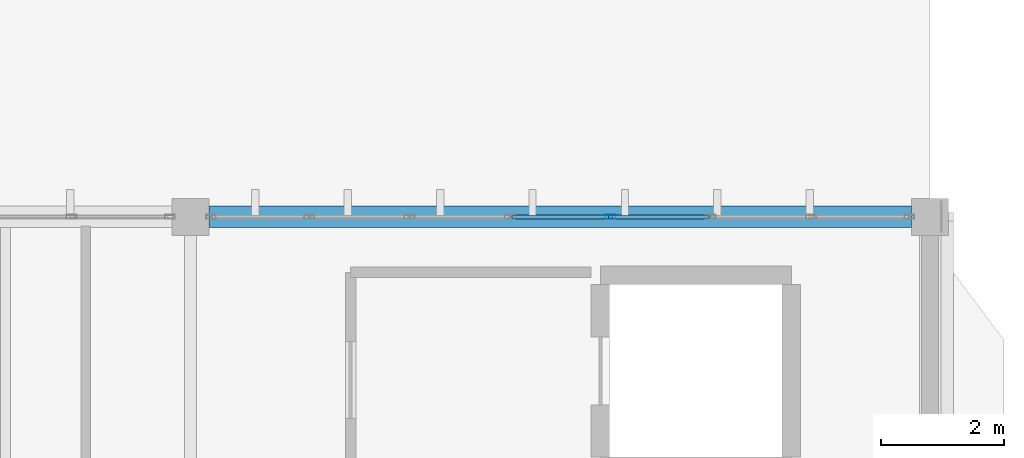
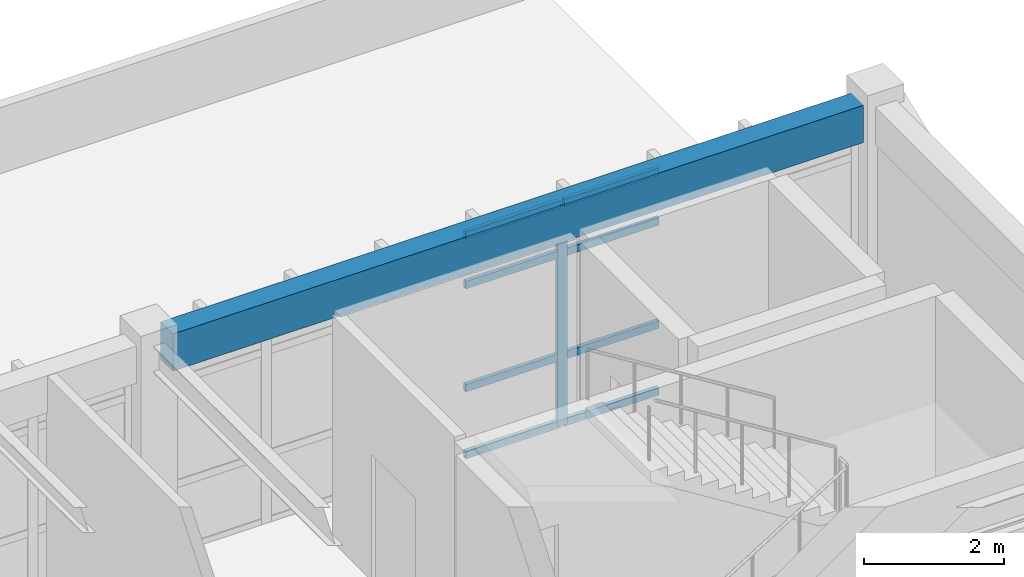
# One storey, part 23 of 37: 9 members, 1 beam, 1 element without a shape of its own.
"""IFC4 building model written with IfcOpenShell, lengths in metres."""

from ifc_helpers import new_model, si_unit, direction, frame, origin, origin_2d, place, context, subcontext, project, spatial, rectangle, hollow_rectangle, extrude, material, layer, layer_set, material_profile, profile_set, type_object, element, aggregate, save


model = new_model("IFC4")

# Units and contexts
model_context = context("Model", 3, precision=1e-05, world=origin(), true_north=direction((0.0, 1.0)))
body_context = subcontext(model_context, "Body", "Model", "MODEL_VIEW")
ifc_project = project(units=[si_unit("LENGTHUNIT", "METRE"), si_unit("AREAUNIT", "SQUARE_METRE"), si_unit("VOLUMEUNIT", "CUBIC_METRE"), si_unit("PLANEANGLEUNIT", "RADIAN"), si_unit("MASSUNIT", "GRAM", prefix="KILO")], contexts=[model_context])

# Site, building, storey
site_placement = place(None, origin())
site = spatial("IfcSite", under=ifc_project, at=site_placement, CompositionType="ELEMENT")
building_placement = place(site_placement, origin())
building = spatial("IfcBuilding", under=site, at=building_placement, Name="Pandanus Reach Market Hall", CompositionType="ELEMENT")
storey_placement = place(building_placement, frame((0.0, 0.0, 14.39990234375)))
storey = spatial("IfcBuildingStorey", under=building, at=storey_placement, Name="L03", CompositionType="ELEMENT", Elevation=14.39990234375)

# Beam
ifc_material_1 = material(Name="Concrete N40 (40 MPa)", Category="concrete")
ifc_material_profile_1 = material_profile(ifc_material_1, rectangle(XDim=0.35009765625, YDim=0.64990234375, at=origin_2d()), Name="RC350x650", Category="LoadBearing")
ifc_profile_set_1 = profile_set([ifc_material_profile_1], Name="Concrete N40 (40 MPa)")
beam_type = type_object("IfcBeamType", Name="BM-RC350-E", PredefinedType="SPANDREL", material=ifc_profile_set_1)
beam_placement = place(storey_placement, frame((168.298095703125, 76.800048828125, 3.635009765625), z_axis=(1.0, 0.0, 0.0), x_axis=(0.0, 1.0, 0.0)))
element("IfcBeam", 1, at=beam_placement, inside=storey, type_object=beam_type, Name="Framing beam BM-RC350-E L03.553", PredefinedType="SPANDREL", context=body_context, shape_type="SweptSolid", body=[
    extrude(rectangle(XDim=0.35009765625, YDim=0.64990234375, at=origin_2d()), origin(), (0.0, 0.0, 1.0), 11.40380859375),
])

# Curtain wall, members
ifc_material_2 = material(Name="Bronze anodised aluminium and low-E glass", Category="aluminium")
ifc_layer = layer(ifc_material_2, 0.159912109375, Name="CW-31")
ifc_layer_set = layer_set([ifc_layer], Name="Bronze anodised aluminium and low-E glass")
curtain_wall_type = type_object("IfcCurtainWallType", Name="CW-31", PredefinedType="NOTDEFINED", material=ifc_layer_set)
curtain_wall_placement = place(storey_placement, origin())
curtain_wall = element("IfcCurtainWall", 2, at=curtain_wall_placement, inside=storey, type_object=curtain_wall_type, Name="Glazed curtain wall CW-31 CW-0120", PredefinedType="NOTDEFINED")
ifc_material_3 = material(Name="Bronze anodised aluminium", Category="aluminium")
ifc_material_profile_2 = material_profile(ifc_material_3, hollow_rectangle(XDim=0.06494140625, YDim=0.159912109375, WallThickness=0.00390625, at=origin_2d()), Name="ALU65x160", Category="LoadBearing")
ifc_profile_set_2 = profile_set([ifc_material_profile_2], Name="Bronze anodised aluminium")
member_type_1 = type_object("IfcMemberType", Name="CW-M1", PredefinedType="MULLION", material=ifc_profile_set_2)
member_1_placement = place(storey_placement, frame((174.814208984375, 76.800048828125, 0.0), z_axis=(0.0, 0.0, 1.0), x_axis=(0.0, 1.0, 0.0)))
member_1 = element("IfcMember", 3, at=member_1_placement, type_object=member_type_1, Name="CW-31 mullion 5", PredefinedType="MULLION", context=body_context, shape_type="SweptSolid", body=[
    extrude(hollow_rectangle(XDim=0.06494140625, YDim=0.159912109375, WallThickness=0.00390625, at=origin_2d()), origin(), (0.0, 0.0, 1.0), 3.900146484375),
])
ifc_material_profile_3 = material_profile(ifc_material_3, hollow_rectangle(XDim=0.06494140625, YDim=0.1298828125, WallThickness=0.00390625, at=origin_2d()), Name="ALU65x130", Category="LoadBearing")
ifc_profile_set_3 = profile_set([ifc_material_profile_3], Name="Bronze anodised aluminium")
member_type_2 = type_object("IfcMemberType", Name="CW-T1", PredefinedType="USERDEFINED", material=ifc_profile_set_3)
member_2_placement = place(storey_placement, frame((173.21826171875, 76.800048828125, 0.03271484375), z_axis=(1.0, 0.0, 0.0), x_axis=(0.0, 1.0, 0.0)))
member_2 = element("IfcMember", 4, at=member_2_placement, type_object=member_type_2, Name="CW-31 transom 4.1", ObjectType="TRANSOM", PredefinedType="USERDEFINED", context=body_context, shape_type="SweptSolid", body=[
    extrude(hollow_rectangle(XDim=0.06494140625, YDim=0.1298828125, WallThickness=0.00390625, at=origin_2d()), origin(), (0.0, 0.0, 1.0), 1.5634765625),
])
member_3_placement = place(storey_placement, frame((173.21826171875, 76.800048828125, 1.2001953125), z_axis=(1.0, 0.0, 0.0), x_axis=(0.0, 1.0, 0.0)))
member_3 = element("IfcMember", 5, at=member_3_placement, type_object=member_type_2, Name="CW-31 transom 4.2", ObjectType="TRANSOM", PredefinedType="USERDEFINED", context=body_context, shape_type="SweptSolid", body=[
    extrude(hollow_rectangle(XDim=0.06494140625, YDim=0.1298828125, WallThickness=0.00390625, at=origin_2d()), origin(), (0.0, 0.0, 1.0), 1.5634765625),
])
member_4_placement = place(storey_placement, frame((173.21826171875, 76.800048828125, 3.0), z_axis=(1.0, 0.0, 0.0), x_axis=(0.0, 1.0, 0.0)))
member_4 = element("IfcMember", 6, at=member_4_placement, type_object=member_type_2, Name="CW-31 transom 4.3", ObjectType="TRANSOM", PredefinedType="USERDEFINED", context=body_context, shape_type="SweptSolid", body=[
    extrude(hollow_rectangle(XDim=0.06494140625, YDim=0.1298828125, WallThickness=0.00390625, at=origin_2d()), origin(), (0.0, 0.0, 1.0), 1.5634765625),
])
member_5_placement = place(storey_placement, frame((173.21826171875, 76.800048828125, 3.86767578125), z_axis=(1.0, 0.0, 0.0), x_axis=(0.0, 1.0, 0.0)))
member_5 = element("IfcMember", 7, at=member_5_placement, type_object=member_type_2, Name="CW-31 transom 4.4", ObjectType="TRANSOM", PredefinedType="USERDEFINED", context=body_context, shape_type="SweptSolid", body=[
    extrude(hollow_rectangle(XDim=0.06494140625, YDim=0.1298828125, WallThickness=0.00390625, at=origin_2d()), origin(), (0.0, 0.0, 1.0), 1.5634765625),
])
member_6_placement = place(storey_placement, frame((174.8466796875, 76.800048828125, 0.03271484375), z_axis=(1.0, 0.0, 0.0), x_axis=(0.0, 1.0, 0.0)))
member_6 = element("IfcMember", 8, at=member_6_placement, type_object=member_type_2, Name="CW-31 transom 5.1", ObjectType="TRANSOM", PredefinedType="USERDEFINED", context=body_context, shape_type="SweptSolid", body=[
    extrude(hollow_rectangle(XDim=0.06494140625, YDim=0.1298828125, WallThickness=0.00390625, at=origin_2d()), origin(), (0.0, 0.0, 1.0), 1.563720703125),
])
member_7_placement = place(storey_placement, frame((174.8466796875, 76.800048828125, 1.2001953125), z_axis=(1.0, 0.0, 0.0), x_axis=(0.0, 1.0, 0.0)))
member_7 = element("IfcMember", 9, at=member_7_placement, type_object=member_type_2, Name="CW-31 transom 5.2", ObjectType="TRANSOM", PredefinedType="USERDEFINED", context=body_context, shape_type="SweptSolid", body=[
    extrude(hollow_rectangle(XDim=0.06494140625, YDim=0.1298828125, WallThickness=0.00390625, at=origin_2d()), origin(), (0.0, 0.0, 1.0), 1.563720703125),
])
member_8_placement = place(storey_placement, frame((174.8466796875, 76.800048828125, 3.0), z_axis=(1.0, 0.0, 0.0), x_axis=(0.0, 1.0, 0.0)))
member_8 = element("IfcMember", 10, at=member_8_placement, type_object=member_type_2, Name="CW-31 transom 5.3", ObjectType="TRANSOM", PredefinedType="USERDEFINED", context=body_context, shape_type="SweptSolid", body=[
    extrude(hollow_rectangle(XDim=0.06494140625, YDim=0.1298828125, WallThickness=0.00390625, at=origin_2d()), origin(), (0.0, 0.0, 1.0), 1.563720703125),
])
member_9_placement = place(storey_placement, frame((174.8466796875, 76.800048828125, 3.86767578125), z_axis=(1.0, 0.0, 0.0), x_axis=(0.0, 1.0, 0.0)))
member_9 = element("IfcMember", 11, at=member_9_placement, type_object=member_type_2, Name="CW-31 transom 5.4", ObjectType="TRANSOM", PredefinedType="USERDEFINED", context=body_context, shape_type="SweptSolid", body=[
    extrude(hollow_rectangle(XDim=0.06494140625, YDim=0.1298828125, WallThickness=0.00390625, at=origin_2d()), origin(), (0.0, 0.0, 1.0), 1.563720703125),
])
aggregate(curtain_wall, [member_1, member_2, member_3, member_4, member_5, member_6, member_7, member_8, member_9])

save(model, "model.ifc")
